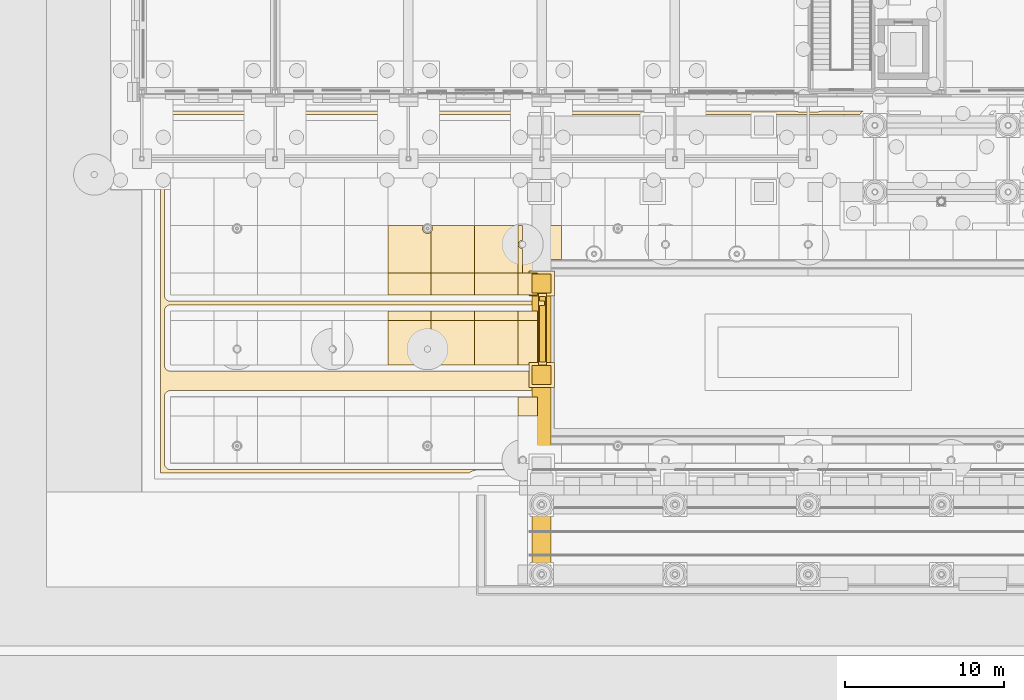
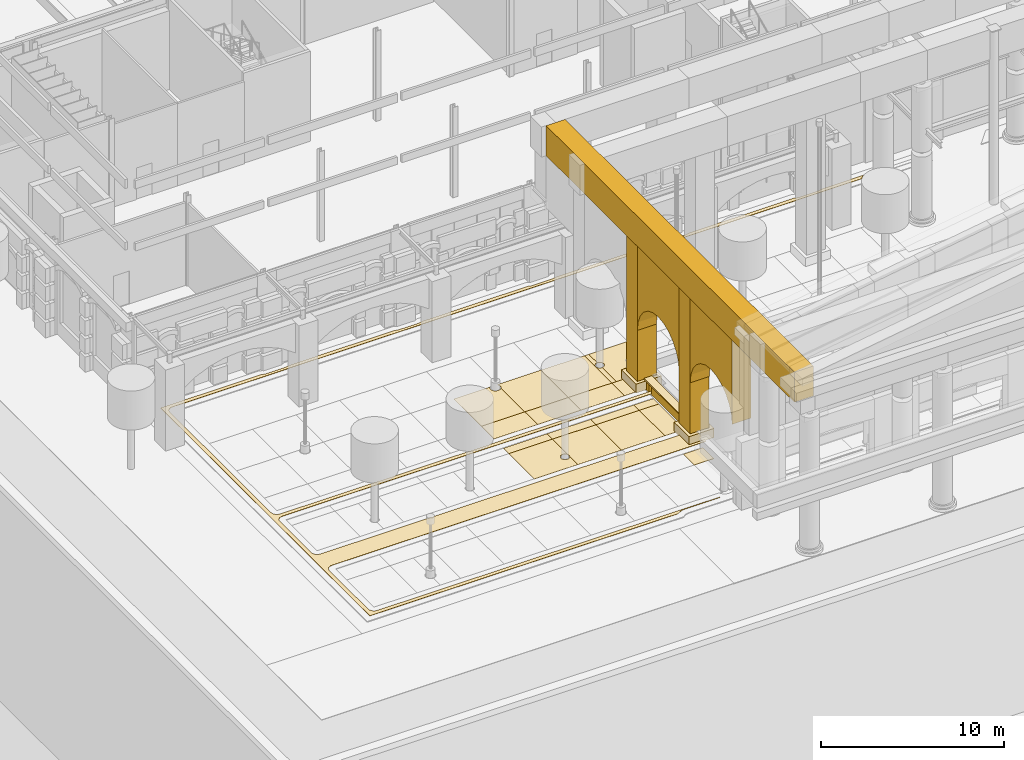
# One storey, part 111 of 222: 28 coverings.
"""IFC4 building model written with IfcOpenShell, lengths in metres."""

import ifcopenshell
import ifcopenshell.guid

model = None  # the IFC model being written
_history = None  # IfcOwnerHistory: only IFC2X3 demands one
_inside = {}  # id of a spatial element -> (the spatial element, [elements in it])
_under = {}  # id of a project, library or spatial element -> (it, [spatial elements below it])
_declared = {}  # id of a project -> (the project, [libraries it declares])
_typed = {}  # id of a type object -> (the type object, [elements of that type])
_made_of = {}  # id of a material, layer set ... -> (it, [elements and type objects made of it])


def new_model(schema):
    """Start an empty IFC model of exactly this schema.

    Asked for "IFC4X3", IfcOpenShell would pick the latest addendum, in which some entities
    have other attributes; the version numbers below select the first issue.
    IFC2X3 requires an IfcOwnerHistory on every rooted entity: one is made here for all.
    """
    global model, _history
    if schema == "IFC4X3":
        model = ifcopenshell.file(schema_version=(4, 3, 0, 0))
    else:
        model = ifcopenshell.file(schema=schema)
    _inside.clear()
    _under.clear()
    _declared.clear()
    _typed.clear()
    _made_of.clear()
    _history = None
    if model.schema == "IFC2X3":
        org = make("IfcOrganization", Name="unknown")
        user = make(
            "IfcPersonAndOrganization",
            ThePerson=make("IfcPerson", FamilyName="unknown"),
            TheOrganization=org,
        )
        app = make(
            "IfcApplication",
            ApplicationDeveloper=org,
            Version="unknown",
            ApplicationFullName="unknown",
            ApplicationIdentifier="unknown",
        )
        _history = make(
            "IfcOwnerHistory",
            OwningUser=user,
            OwningApplication=app,
            ChangeAction="ADDED",
            CreationDate=0,
        )
    return model


def make(cls, **values):
    """One entity of the class cls with the attributes given. An attribute that is None is left unset."""
    return model.create_entity(
        cls, **{name: value for name, value in values.items() if value is not None}
    )


def rooted(cls, **values):
    """An entity with a GlobalId (a new one), such as an element, a storey or a relation."""
    return make(cls, GlobalId=ifcopenshell.guid.new(), OwnerHistory=_history, **values)


def si_unit(unit_type, name, prefix=None):
    """IfcSIUnit, for example si_unit("LENGTHUNIT", "METRE", prefix="MILLI")."""
    return make("IfcSIUnit", UnitType=unit_type, Prefix=prefix, Name=name)


def assignment(units):
    """IfcUnitAssignment: the units of a project."""
    return None if units is None else make("IfcUnitAssignment", Units=units)


def point(xyz):
    """IfcCartesianPoint."""
    return None if xyz is None else make("IfcCartesianPoint", Coordinates=xyz)


def direction(xyz):
    """IfcDirection."""
    return None if xyz is None else make("IfcDirection", DirectionRatios=xyz)


def frame(location, z_axis=None, x_axis=None):
    """IfcAxis2Placement3D, a coordinate frame: its origin and axes. An axis left out is left unset."""
    return make(
        "IfcAxis2Placement3D",
        Location=point(location),
        Axis=direction(z_axis),
        RefDirection=direction(x_axis),
    )


def frame_2d(location, x_axis=None):
    """IfcAxis2Placement2D, a coordinate frame in the plane: its origin and x axis."""
    return make(
        "IfcAxis2Placement2D", Location=point(location), RefDirection=direction(x_axis)
    )


def origin():
    """The frame at (0, 0, 0) with its axes left unset."""
    return frame((0.0, 0.0, 0.0))


def origin_2d():
    """The frame at (0, 0) in the plane with its x axis left unset."""
    return frame_2d((0.0, 0.0))


def place(relative_to, where):
    """IfcLocalPlacement: puts the frame where relative to a parent placement (None: the world)."""
    return make(
        "IfcLocalPlacement", PlacementRelTo=relative_to, RelativePlacement=where
    )


def context(
    kind, dimensions, precision=None, world=None, true_north=None, identifier=None
):
    """IfcGeometricRepresentationContext, for example the 3D "Model" context."""
    return make(
        "IfcGeometricRepresentationContext",
        ContextIdentifier=identifier,
        ContextType=kind,
        CoordinateSpaceDimension=dimensions,
        Precision=precision,
        WorldCoordinateSystem=world,
        TrueNorth=true_north,
    )


def subcontext(parent, identifier, kind, view, scale=None):
    """IfcGeometricRepresentationSubContext, for example "Body" below "Model"."""
    return make(
        "IfcGeometricRepresentationSubContext",
        ContextIdentifier=identifier,
        ContextType=kind,
        ParentContext=parent,
        TargetScale=scale,
        TargetView=view,
    )


def project(units=None, contexts=None):
    """IfcProject with its units and contexts."""
    return rooted(
        "IfcProject",
        Name="project",
        RepresentationContexts=contexts,
        UnitsInContext=assignment(units),
    )


def spatial(cls, under=None, at=None, **own):
    """A site, building, storey or space (cls), placed at a placement, below another one or the project."""
    s = rooted(cls, ObjectPlacement=at, **own)
    if under is not None:
        _under.setdefault(under.id(), (under, []))[1].append(s)
    return s


def polyline(points):
    """IfcPolyline through the points."""
    return make("IfcPolyline", Points=[point(p) for p in points])


def profile(cls, at=None, kind="AREA", **sizes):
    """A parametric profile (cls). Its sizes go by their IFC names, for example OverallWidth=200.0."""
    return make(cls, ProfileType=kind, Position=at, **sizes)


def rectangle(**sizes):
    """IfcRectangleProfileDef."""
    return profile("IfcRectangleProfileDef", **sizes)


def outline(outer, holes=None, kind="AREA"):
    """IfcArbitraryClosedProfileDef: a profile drawn as a closed curve; with holes, ...WithVoids."""
    if holes is None:
        return make("IfcArbitraryClosedProfileDef", ProfileType=kind, OuterCurve=outer)
    return make(
        "IfcArbitraryProfileDefWithVoids",
        ProfileType=kind,
        OuterCurve=outer,
        InnerCurves=holes,
    )


def extrude(swept, where, along, depth):
    """IfcExtrudedAreaSolid: the profile swept, set in the frame where, extruded along a direction by depth."""
    return make(
        "IfcExtrudedAreaSolid",
        SweptArea=swept,
        Position=where,
        ExtrudedDirection=direction(along),
        Depth=depth,
    )


def shape(context_of_items, identifier, shape_type, items):
    """IfcShapeRepresentation: the items that make up one representation, for example the "Body"."""
    return make(
        "IfcShapeRepresentation",
        ContextOfItems=context_of_items,
        RepresentationIdentifier=identifier,
        RepresentationType=shape_type,
        Items=items,
    )


def material(Name=None, Category=None):
    """IfcMaterial."""
    return make("IfcMaterial", Name=Name, Category=Category)


def layer(
    of_material, thickness, ventilated=None, Name=None, Category=None, Priority=None
):
    """IfcMaterialLayer: one layer of a wall or slab, of a material (None: an air gap)."""
    return make(
        "IfcMaterialLayer",
        Material=of_material,
        LayerThickness=thickness,
        IsVentilated=ventilated,
        Name=Name,
        Category=Category,
        Priority=Priority,
    )


def layer_set(layers, Name=None):
    """IfcMaterialLayerSet."""
    return make("IfcMaterialLayerSet", MaterialLayers=layers, LayerSetName=Name)


def made_of(thing, what):
    """Note that an element or type object is made of a material, layer set ...; save() writes the relation."""
    if what is not None:
        _made_of.setdefault(what.id(), (what, []))[1].append(thing)
    return thing


def type_object(cls, material=None, **own):
    """A type object (cls), such as IfcWallType, which elements share."""
    return made_of(rooted(cls, **own), material)


def element(
    cls,
    number,
    at=None,
    inside=None,
    cuts=None,
    type_object=None,
    material=None,
    context=None,
    identifier="Body",
    shape_type=None,
    held_by="IfcProductDefinitionShape",
    body=None,
    shapes=None,
    **own,
):
    """One element of the class cls, such as IfcWall. Its Tag is "e" and its number.

    at: its placement. inside: the storey or other place that contains it. cuts: it is an
    opening in that element (IfcRelVoidsElement). A single representation is given by context,
    identifier, shape_type and body (its items); several are given by shapes. held_by: the class
    of the entity that holds the representations. save() writes the other relations.
    """
    e = rooted(cls, Tag="e%d" % number, ObjectPlacement=at, **own)
    if body is not None:
        shapes = [shape(context, identifier, shape_type, body)]
    if shapes is not None:
        e.Representation = make(held_by, Representations=shapes)
    if inside is not None:
        _inside.setdefault(inside.id(), (inside, []))[1].append(e)
    if cuts is not None:
        rooted(
            "IfcRelVoidsElement", RelatingBuildingElement=cuts, RelatedOpeningElement=e
        )
    if type_object is not None:
        _typed.setdefault(type_object.id(), (type_object, []))[1].append(e)
    return made_of(e, material)


def aggregate(whole, parts):
    """IfcRelAggregates: a whole, such as a stair, and the parts it consists of."""
    return rooted("IfcRelAggregates", RelatingObject=whole, RelatedObjects=parts)


def save(model, path):
    """Write the relations noted so far, then the file.

    IfcRelAggregates (storeys below a building ...), IfcRelContainedInSpatialStructure (elements
    in a storey), IfcRelDefinesByType, IfcRelAssociatesMaterial and IfcRelDeclares: one each for
    every whole, place, type object, material and project.
    """
    for whole, parts in _under.values():
        aggregate(whole, parts)
    for where, things in _inside.values():
        rooted(
            "IfcRelContainedInSpatialStructure",
            RelatedElements=things,
            RelatingStructure=where,
        )
    for kind, things in _typed.values():
        rooted("IfcRelDefinesByType", RelatedObjects=things, RelatingType=kind)
    for what, things in _made_of.values():
        rooted("IfcRelAssociatesMaterial", RelatedObjects=things, RelatingMaterial=what)
    for by, libraries in _declared.values():
        rooted("IfcRelDeclares", RelatingContext=by, RelatedDefinitions=libraries)
    model.write(path)


model = new_model("IFC4")

# Units and contexts
model_context = context("Model", 3, precision=1e-05, world=origin(), true_north=direction((0.0, 1.0)))
body_context = subcontext(model_context, "Body", "Model", "MODEL_VIEW")
ifc_project = project(units=[si_unit("LENGTHUNIT", "METRE"), si_unit("AREAUNIT", "SQUARE_METRE"), si_unit("VOLUMEUNIT", "CUBIC_METRE"), si_unit("PLANEANGLEUNIT", "RADIAN"), si_unit("MASSUNIT", "GRAM", prefix="KILO")], contexts=[model_context])

# Site, building, storey
site_placement = place(None, origin())
site = spatial("IfcSite", under=ifc_project, at=site_placement, CompositionType="ELEMENT")
building_placement = place(site_placement, origin())
building = spatial("IfcBuilding", under=site, at=building_placement, Name="Sava Quay Ferry Terminal", CompositionType="ELEMENT")
storey_placement = place(building_placement, origin())
storey = spatial("IfcBuildingStorey", under=building, at=storey_placement, Name="L00", CompositionType="ELEMENT", Elevation=0.0)

# Coverings
ifc_material_1 = material(Name="Basalt setts", Category="masonry")
ifc_layer_1 = layer(ifc_material_1, 0.02001953125)
ifc_layer_set_1 = layer_set([ifc_layer_1], Name="Basalt setts")
covering_type_1 = type_object("IfcCoveringType", Name="Basalt inlay line 20", PredefinedType="FLOORING", material=ifc_layer_set_1)
covering_1_placement = place(storey_placement, frame((0.0, 0.0, 0.050048828125)))
element("IfcCovering", 1, at=covering_1_placement, inside=storey, type_object=covering_type_1, Name="Basalt inlay line", PredefinedType="FLOORING", context=body_context, shape_type="SweptSolid", body=[
    extrude(outline(polyline([(7.72802734375, 23.964111328125), (7.64892578125, 23.97900390625), (7.60205078125, 23.991943359375), (7.552001953125, 24.010986328125), (7.532958984375, 24.02001953125), (1.179931640625, 24.02001953125), (1.179931640625, 1.179931640625), (20.60693359375, 1.179931640625), (20.6708984375, 1.22509765625), (20.720947265625, 1.2548828125), (20.7548828125, 1.27294921875), (20.80810546875, 1.298095703125), (20.842041015625, 1.31201171875), (20.89794921875, 1.33203125), (20.93505859375, 1.343017578125), (20.991943359375, 1.35693359375), (21.0830078125, 1.373046875), (21.1220703125, 1.376953125), (21.199951171875, 1.3798828125), (23.3759765625, 1.3798828125), (23.340087890625, 1.419921875), (1.800048828125, 1.419921875), (1.762939453125, 1.422119140625), (1.72607421875, 1.427001953125), (1.68994140625, 1.43603515625), (1.655029296875, 1.448974609375), (1.62109375, 1.465087890625), (1.589111328125, 1.48388671875), (1.55908203125, 1.506103515625), (1.531005859375, 1.531005859375), (1.506103515625, 1.55908203125), (1.48388671875, 1.589111328125), (1.465087890625, 1.62109375), (1.448974609375, 1.655029296875), (1.43603515625, 1.68994140625), (1.427001953125, 1.72607421875), (1.422119140625, 1.762939453125), (1.419921875, 1.800048828125), (1.419921875, 6.0), (1.422119140625, 6.037109375), (1.427001953125, 6.073974609375), (1.43603515625, 6.110107421875), (1.448974609375, 6.14501953125), (1.465087890625, 6.178955078125), (1.48388671875, 6.2109375), (1.506103515625, 6.240966796875), (1.531005859375, 6.26904296875), (1.55908203125, 6.2939453125), (1.589111328125, 6.31591796875), (1.62109375, 6.3349609375), (1.655029296875, 6.35107421875), (1.68994140625, 6.364013671875), (1.72607421875, 6.373046875), (1.762939453125, 6.3779296875), (1.800048828125, 6.3798828125), (25.3701171875, 6.3798828125), (25.3701171875, 7.6201171875), (1.800048828125, 7.6201171875), (1.762939453125, 7.6220703125), (1.72607421875, 7.626953125), (1.68994140625, 7.635986328125), (1.655029296875, 7.64892578125), (1.62109375, 7.6650390625), (1.589111328125, 7.68408203125), (1.55908203125, 7.7060546875), (1.531005859375, 7.73095703125), (1.506103515625, 7.759033203125), (1.48388671875, 7.7890625), (1.465087890625, 7.821044921875), (1.448974609375, 7.85498046875), (1.43603515625, 7.889892578125), (1.427001953125, 7.926025390625), (1.422119140625, 7.962890625), (1.419921875, 8.0), (1.419921875, 11.39990234375), (1.422119140625, 11.43701171875), (1.427001953125, 11.47412109375), (1.43603515625, 11.510009765625), (1.448974609375, 11.544921875), (1.465087890625, 11.5791015625), (1.48388671875, 11.611083984375), (1.506103515625, 11.64111328125), (1.531005859375, 11.6689453125), (1.55908203125, 11.694091796875), (1.589111328125, 11.716064453125), (1.62109375, 11.735107421875), (1.655029296875, 11.7509765625), (1.68994140625, 11.763916015625), (1.72607421875, 11.77294921875), (1.762939453125, 11.778076171875), (1.800048828125, 11.780029296875), (25.3701171875, 11.780029296875), (25.3701171875, 12.02001953125), (1.800048828125, 12.02001953125), (1.762939453125, 12.02197265625), (1.72607421875, 12.027099609375), (1.68994140625, 12.035888671875), (1.655029296875, 12.049072265625), (1.62109375, 12.06494140625), (1.589111328125, 12.083984375), (1.55908203125, 12.10595703125), (1.531005859375, 12.131103515625), (1.506103515625, 12.158935546875), (1.48388671875, 12.18896484375), (1.465087890625, 12.220947265625), (1.448974609375, 12.2548828125), (1.43603515625, 12.2900390625), (1.427001953125, 12.325927734375), (1.422119140625, 12.363037109375), (1.419921875, 12.39990234375), (1.419921875, 23.39990234375), (1.422119140625, 23.43701171875), (1.427001953125, 23.47412109375), (1.43603515625, 23.510009765625), (1.448974609375, 23.544921875), (1.465087890625, 23.5791015625), (1.48388671875, 23.611083984375), (1.506103515625, 23.64111328125), (1.531005859375, 23.6689453125), (1.55908203125, 23.694091796875), (1.589111328125, 23.716064453125), (1.62109375, 23.735107421875), (1.655029296875, 23.7509765625), (1.68994140625, 23.763916015625), (1.72607421875, 23.77294921875), (1.762939453125, 23.778076171875), (1.800048828125, 23.780029296875), (45.256103515625, 23.780029296875), (45.277099609375, 23.81591796875), (45.294921875, 23.843017578125), (45.3369140625, 23.89599609375), (45.35693359375, 23.91796875), (45.404052734375, 23.962890625), (45.43408203125, 23.988037109375), (45.47998046875, 24.02001953125), (42.866943359375, 24.02001953125), (42.847900390625, 24.010986328125), (42.798095703125, 23.991943359375), (42.740966796875, 23.97607421875), (42.68701171875, 23.966064453125), (42.639892578125, 23.9609375), (42.60009765625, 23.9599609375), (41.375, 23.9609375), (41.3359375, 23.962890625), (41.297119140625, 23.968994140625), (41.2490234375, 23.97900390625), (41.201904296875, 23.991943359375), (41.178955078125, 24.0), (41.133056640625, 24.02001953125), (34.467041015625, 24.02001953125), (34.447998046875, 24.010986328125), (34.39794921875, 23.991943359375), (34.341064453125, 23.97607421875), (34.287109375, 23.966064453125), (34.239990234375, 23.9609375), (34.199951171875, 23.9599609375), (32.97509765625, 23.9609375), (32.93603515625, 23.962890625), (32.89697265625, 23.968994140625), (32.84912109375, 23.97900390625), (32.802001953125, 23.991943359375), (32.779052734375, 24.0), (32.73291015625, 24.02001953125), (26.06689453125, 24.02001953125), (26.048095703125, 24.010986328125), (25.998046875, 23.991943359375), (25.94091796875, 23.97607421875), (25.886962890625, 23.966064453125), (25.840087890625, 23.9609375), (25.800048828125, 23.9599609375), (24.574951171875, 23.9609375), (24.535888671875, 23.962890625), (24.4970703125, 23.968994140625), (24.448974609375, 23.97900390625), (24.402099609375, 23.991943359375), (24.37890625, 24.0), (24.3330078125, 24.02001953125), (17.6669921875, 24.02001953125), (17.64794921875, 24.010986328125), (17.597900390625, 23.991943359375), (17.541015625, 23.97607421875), (17.487060546875, 23.966064453125), (17.43994140625, 23.9609375), (17.39990234375, 23.9599609375), (16.175048828125, 23.9609375), (16.135986328125, 23.962890625), (16.096923828125, 23.968994140625), (16.049072265625, 23.97900390625), (16.001953125, 23.991943359375), (15.97900390625, 24.0), (15.93310546875, 24.02001953125), (9.26708984375, 24.02001953125), (9.220947265625, 24.0), (9.197998046875, 23.991943359375), (9.15087890625, 23.97900390625), (9.10302734375, 23.968994140625), (9.06396484375, 23.962890625), (9.02490234375, 23.9609375), (7.800048828125, 23.9599609375), (7.72802734375, 23.964111328125)])), origin(), (0.0, 0.0, 1.0), 0.02001953125),
])
ifc_material_2 = material(Name="Limestone Mutalj", Category="masonry")
ifc_layer_2 = layer(ifc_material_2, 0.030029296875)
ifc_layer_set_2 = layer_set([ifc_layer_2], Name="Limestone Mutalj")
covering_type_2 = type_object("IfcCoveringType", Name="Court paving tile 30", PredefinedType="FLOORING", material=ifc_layer_set_2)
covering_2_placement = place(storey_placement, origin())
element("IfcCovering", 2, at=covering_2_placement, inside=storey, type_object=covering_type_2, Name="Limestone paving tile", PredefinedType="FLOORING", context=body_context, shape_type="SweptSolid", body=[
    extrude(outline(polyline([(18.239990234375, 10.800048828125), (18.239990234375, 11.389892578125), (15.5, 11.389892578125), (15.5, 10.800048828125), (18.239990234375, 10.800048828125)])), origin(), (0.0, 0.0, 1.0), 0.030029296875),
])
covering_3_placement = place(storey_placement, origin())
element("IfcCovering", 3, at=covering_3_placement, inside=storey, type_object=covering_type_2, Name="Limestone paving tile", PredefinedType="FLOORING", context=body_context, shape_type="SweptSolid", body=[
    extrude(outline(polyline([(15.5, 13.800048828125), (15.5, 12.409912109375), (18.239990234375, 12.409912109375), (18.239990234375, 13.800048828125), (15.5, 13.800048828125)])), origin(), (0.0, 0.0, 1.0), 0.030029296875),
])
covering_4_placement = place(storey_placement, origin())
element("IfcCovering", 4, at=covering_4_placement, inside=storey, type_object=covering_type_2, Name="Limestone paving tile", PredefinedType="FLOORING", context=body_context, shape_type="SweptSolid", body=[
    extrude(outline(polyline([(18.239990234375, 10.800048828125), (18.239990234375, 9.10009765625), (18.2490234375, 9.075927734375), (18.2548828125, 9.051025390625), (18.259033203125, 9.02490234375), (18.260009765625, 9.0), (18.259033203125, 8.97412109375), (18.2548828125, 8.948974609375), (18.2490234375, 8.924072265625), (18.239990234375, 8.89990234375), (18.239990234375, 8.010009765625), (20.97998046875, 8.010009765625), (20.97998046875, 10.800048828125), (18.239990234375, 10.800048828125)])), origin(), (0.0, 0.0, 1.0), 0.030029296875),
])
covering_5_placement = place(storey_placement, origin())
element("IfcCovering", 5, at=covering_5_placement, inside=storey, type_object=covering_type_2, Name="Limestone paving tile", PredefinedType="FLOORING", context=body_context, shape_type="SweptSolid", body=[
    extrude(outline(polyline([(18.239990234375, 16.800048828125), (18.239990234375, 16.7958984375), (18.258056640625, 16.77197265625), (18.27392578125, 16.74609375), (18.287109375, 16.718017578125), (18.2958984375, 16.68994140625), (18.303955078125, 16.659912109375), (18.30908203125, 16.6298828125), (18.31005859375, 16.60009765625), (18.30908203125, 16.570068359375), (18.303955078125, 16.5400390625), (18.2958984375, 16.510009765625), (18.287109375, 16.48193359375), (18.27392578125, 16.4541015625), (18.258056640625, 16.427978515625), (18.239990234375, 16.404052734375), (18.239990234375, 13.800048828125), (20.97998046875, 13.800048828125), (20.97998046875, 16.800048828125), (18.239990234375, 16.800048828125)])), origin(), (0.0, 0.0, 1.0), 0.030029296875),
])
covering_6_placement = place(storey_placement, origin())
element("IfcCovering", 6, at=covering_6_placement, inside=storey, type_object=covering_type_2, Name="Limestone paving tile", PredefinedType="FLOORING", context=body_context, shape_type="SweptSolid", body=[
    extrude(outline(polyline([(23.719970703125, 10.800048828125), (23.719970703125, 11.389892578125), (20.97998046875, 11.389892578125), (20.97998046875, 10.800048828125), (23.719970703125, 10.800048828125)])), origin(), (0.0, 0.0, 1.0), 0.030029296875),
])
covering_7_placement = place(storey_placement, origin())
element("IfcCovering", 7, at=covering_7_placement, inside=storey, type_object=covering_type_2, Name="Limestone paving tile", PredefinedType="FLOORING", context=body_context, shape_type="SweptSolid", body=[
    extrude(outline(polyline([(20.97998046875, 13.800048828125), (20.97998046875, 12.409912109375), (23.719970703125, 12.409912109375), (23.719970703125, 13.800048828125), (20.97998046875, 13.800048828125)])), origin(), (0.0, 0.0, 1.0), 0.030029296875),
])
covering_8_placement = place(storey_placement, origin())
element("IfcCovering", 8, at=covering_8_placement, inside=storey, type_object=covering_type_2, Name="Limestone paving tile", PredefinedType="FLOORING", context=body_context, shape_type="SweptSolid", body=[
    extrude(outline(polyline([(23.719970703125, 16.800048828125), (23.719970703125, 13.800048828125), (24.0, 13.800048828125), (24.0, 15.340087890625), (23.97412109375, 15.341064453125), (23.948974609375, 15.344970703125), (23.924072265625, 15.35107421875), (23.89990234375, 15.360107421875), (23.876953125, 15.37109375), (23.85498046875, 15.384033203125), (23.8349609375, 15.39892578125), (23.81591796875, 15.4169921875), (23.799072265625, 15.43505859375), (23.783935546875, 15.4560546875), (23.77001953125, 15.47802734375), (23.760009765625, 15.5009765625), (23.7509765625, 15.52490234375), (23.7451171875, 15.550048828125), (23.740966796875, 15.574951171875), (23.739990234375, 15.60009765625), (23.740966796875, 15.6259765625), (23.7451171875, 15.65087890625), (23.7509765625, 15.676025390625), (23.760009765625, 15.699951171875), (23.77099609375, 15.722900390625), (23.783935546875, 15.7451171875), (23.799072265625, 15.764892578125), (23.81689453125, 15.783935546875), (23.8349609375, 15.801025390625), (23.85595703125, 15.81591796875), (23.8779296875, 15.830078125), (23.90087890625, 15.840087890625), (23.925048828125, 15.84912109375), (23.949951171875, 15.85498046875), (23.97509765625, 15.85888671875), (24.0, 15.860107421875), (24.0, 16.800048828125), (23.719970703125, 16.800048828125)])), origin(), (0.0, 0.0, 1.0), 0.030029296875),
])
covering_9_placement = place(storey_placement, origin())
element("IfcCovering", 9, at=covering_9_placement, inside=storey, type_object=covering_type_2, Name="Limestone paving tile", PredefinedType="FLOORING", context=body_context, shape_type="SweptSolid", body=[
    extrude(outline(polyline([(24.949951171875, 10.800048828125), (23.719970703125, 10.800048828125), (23.719970703125, 8.010009765625), (24.949951171875, 8.010009765625), (24.949951171875, 10.800048828125)])), origin(), (0.0, 0.0, 1.0), 0.030029296875),
])
covering_10_placement = place(storey_placement, origin())
element("IfcCovering", 10, at=covering_10_placement, inside=storey, type_object=covering_type_2, Name="Limestone paving tile", PredefinedType="FLOORING", context=body_context, shape_type="SweptSolid", body=[
    extrude(outline(polyline([(26.4599609375, 14.64990234375), (26.4599609375, 16.800048828125), (24.0, 16.800048828125), (24.0, 15.860107421875), (24.02587890625, 15.85888671875), (24.051025390625, 15.85498046875), (24.075927734375, 15.84912109375), (24.10009765625, 15.840087890625), (24.123046875, 15.8291015625), (24.14501953125, 15.81591796875), (24.1650390625, 15.801025390625), (24.18408203125, 15.782958984375), (24.200927734375, 15.764892578125), (24.216064453125, 15.743896484375), (24.22998046875, 15.721923828125), (24.239990234375, 15.698974609375), (24.2490234375, 15.675048828125), (24.2548828125, 15.64990234375), (24.259033203125, 15.625), (24.260009765625, 15.60009765625), (24.259033203125, 15.573974609375), (24.2548828125, 15.549072265625), (24.2490234375, 15.52392578125), (24.239990234375, 15.5), (24.22900390625, 15.47705078125), (24.216064453125, 15.455078125), (24.200927734375, 15.43505859375), (24.18310546875, 15.416015625), (24.1650390625, 15.39892578125), (24.14404296875, 15.384033203125), (24.1220703125, 15.3701171875), (24.09912109375, 15.360107421875), (24.074951171875, 15.35107421875), (24.050048828125, 15.344970703125), (24.02490234375, 15.341064453125), (24.0, 15.340087890625), (24.0, 13.800048828125), (24.949951171875, 13.800048828125), (24.949951171875, 14.64990234375), (26.4599609375, 14.64990234375)])), origin(), (0.0, 0.0, 1.0), 0.030029296875),
])
ifc_material_3 = material(Name="Red sandstone Vrsac", Category="masonry")
ifc_layer_3 = layer(ifc_material_3, 0.030029296875)
ifc_layer_set_3 = layer_set([ifc_layer_3], Name="Red sandstone Vrsac")
covering_type_3 = type_object("IfcCoveringType", Name="Court paving tile sandstone 30", PredefinedType="FLOORING", material=ifc_layer_set_3)
covering_11_placement = place(storey_placement, origin())
element("IfcCovering", 11, at=covering_11_placement, inside=storey, type_object=covering_type_3, Name="Sandstone paving tile", PredefinedType="FLOORING", context=body_context, shape_type="SweptSolid", body=[
    extrude(outline(polyline([(18.239990234375, 8.010009765625), (18.239990234375, 8.89990234375), (18.22900390625, 8.876953125), (18.216064453125, 8.85498046875), (18.200927734375, 8.8349609375), (18.18408203125, 8.81689453125), (18.1650390625, 8.799072265625), (18.14501953125, 8.783935546875), (18.1220703125, 8.77001953125), (18.09912109375, 8.760009765625), (18.074951171875, 8.7509765625), (18.051025390625, 8.7451171875), (18.02587890625, 8.740966796875), (18.0, 8.739990234375), (17.97509765625, 8.740966796875), (17.948974609375, 8.7451171875), (17.924072265625, 8.7509765625), (17.89990234375, 8.760009765625), (17.876953125, 8.77099609375), (17.85595703125, 8.783935546875), (17.8349609375, 8.799072265625), (17.81689453125, 8.81591796875), (17.799072265625, 8.8349609375), (17.783935546875, 8.85595703125), (17.77001953125, 8.8779296875), (17.760009765625, 8.89990234375), (17.7509765625, 8.924072265625), (17.7451171875, 8.949951171875), (17.740966796875, 8.97509765625), (17.739990234375, 9.0), (17.740966796875, 9.02490234375), (17.7451171875, 9.050048828125), (17.7509765625, 9.074951171875), (17.760009765625, 9.09912109375), (17.77099609375, 9.123046875), (17.783935546875, 9.14501953125), (17.799072265625, 9.1650390625), (17.81689453125, 9.18408203125), (17.8349609375, 9.200927734375), (17.85595703125, 9.216064453125), (17.876953125, 9.22900390625), (17.89990234375, 9.239990234375), (17.924072265625, 9.2490234375), (17.948974609375, 9.2548828125), (17.97509765625, 9.259033203125), (18.0, 9.260009765625), (18.02587890625, 9.259033203125), (18.051025390625, 9.2548828125), (18.074951171875, 9.2490234375), (18.09912109375, 9.239990234375), (18.1220703125, 9.22998046875), (18.14501953125, 9.216064453125), (18.1650390625, 9.200927734375), (18.18408203125, 9.18310546875), (18.200927734375, 9.1650390625), (18.216064453125, 9.14501953125), (18.22900390625, 9.123046875), (18.239990234375, 9.10009765625), (18.239990234375, 10.800048828125), (15.5, 10.800048828125), (15.5, 8.010009765625), (18.239990234375, 8.010009765625)])), origin(), (0.0, 0.0, 1.0), 0.030029296875),
])
covering_12_placement = place(storey_placement, origin())
element("IfcCovering", 12, at=covering_12_placement, inside=storey, type_object=covering_type_3, Name="Sandstone paving tile", PredefinedType="FLOORING", context=body_context, shape_type="SweptSolid", body=[
    extrude(outline(polyline([(18.239990234375, 13.800048828125), (18.239990234375, 16.404052734375), (18.219970703125, 16.381103515625), (18.197021484375, 16.361083984375), (18.173095703125, 16.343017578125), (18.14697265625, 16.326904296875), (18.118896484375, 16.31396484375), (18.090087890625, 16.303955078125), (18.06103515625, 16.2958984375), (18.031005859375, 16.2919921875), (18.0, 16.2900390625), (17.969970703125, 16.291015625), (17.93994140625, 16.2958984375), (17.909912109375, 16.303955078125), (17.881103515625, 16.31396484375), (17.85302734375, 16.326904296875), (17.826904296875, 16.343017578125), (17.802978515625, 16.361083984375), (17.780029296875, 16.381103515625), (17.760009765625, 16.404052734375), (17.741943359375, 16.427978515625), (17.72607421875, 16.4541015625), (17.712890625, 16.48193359375), (17.702880859375, 16.510009765625), (17.696044921875, 16.5400390625), (17.69091796875, 16.570068359375), (17.68994140625, 16.60009765625), (17.69189453125, 16.631103515625), (17.696044921875, 16.660888671875), (17.7041015625, 16.68994140625), (17.714111328125, 16.718994140625), (17.72705078125, 16.7470703125), (17.742919921875, 16.77294921875), (17.762939453125, 16.800048828125), (15.5, 16.800048828125), (15.5, 13.800048828125), (18.239990234375, 13.800048828125)])), origin(), (0.0, 0.0, 1.0), 0.030029296875),
])
covering_13_placement = place(storey_placement, origin())
element("IfcCovering", 13, at=covering_13_placement, inside=storey, type_object=covering_type_3, Name="Sandstone paving tile", PredefinedType="FLOORING", context=body_context, shape_type="SweptSolid", body=[
    extrude(outline(polyline([(20.97998046875, 10.800048828125), (20.97998046875, 11.389892578125), (18.239990234375, 11.389892578125), (18.239990234375, 10.800048828125), (20.97998046875, 10.800048828125)])), origin(), (0.0, 0.0, 1.0), 0.030029296875),
])
covering_14_placement = place(storey_placement, origin())
element("IfcCovering", 14, at=covering_14_placement, inside=storey, type_object=covering_type_3, Name="Sandstone paving tile", PredefinedType="FLOORING", context=body_context, shape_type="SweptSolid", body=[
    extrude(outline(polyline([(18.239990234375, 13.800048828125), (18.239990234375, 12.409912109375), (20.97998046875, 12.409912109375), (20.97998046875, 13.800048828125), (18.239990234375, 13.800048828125)])), origin(), (0.0, 0.0, 1.0), 0.030029296875),
])
covering_15_placement = place(storey_placement, origin())
element("IfcCovering", 15, at=covering_15_placement, inside=storey, type_object=covering_type_3, Name="Sandstone paving tile", PredefinedType="FLOORING", context=body_context, shape_type="SweptSolid", body=[
    extrude(outline(polyline([(20.97998046875, 10.800048828125), (20.97998046875, 8.010009765625), (23.719970703125, 8.010009765625), (23.719970703125, 10.800048828125), (20.97998046875, 10.800048828125)])), origin(), (0.0, 0.0, 1.0), 0.030029296875),
])
covering_16_placement = place(storey_placement, origin())
element("IfcCovering", 16, at=covering_16_placement, inside=storey, type_object=covering_type_3, Name="Sandstone paving tile", PredefinedType="FLOORING", context=body_context, shape_type="SweptSolid", body=[
    extrude(outline(polyline([(20.97998046875, 13.800048828125), (23.719970703125, 13.800048828125), (23.719970703125, 16.800048828125), (20.97998046875, 16.800048828125), (20.97998046875, 13.800048828125)])), origin(), (0.0, 0.0, 1.0), 0.030029296875),
])
covering_17_placement = place(storey_placement, origin())
element("IfcCovering", 17, at=covering_17_placement, inside=storey, type_object=covering_type_3, Name="Sandstone paving tile", PredefinedType="FLOORING", context=body_context, shape_type="SweptSolid", body=[
    extrude(outline(polyline([(23.719970703125, 5.989990234375), (23.719970703125, 4.800048828125), (24.949951171875, 4.800048828125), (24.949951171875, 5.989990234375), (23.719970703125, 5.989990234375)])), origin(), (0.0, 0.0, 1.0), 0.030029296875),
])
covering_18_placement = place(storey_placement, origin())
element("IfcCovering", 18, at=covering_18_placement, inside=storey, type_object=covering_type_3, Name="Sandstone paving tile", PredefinedType="FLOORING", context=body_context, shape_type="SweptSolid", body=[
    extrude(outline(polyline([(24.949951171875, 13.800048828125), (23.719970703125, 13.800048828125), (23.719970703125, 12.409912109375), (24.949951171875, 12.409912109375), (24.949951171875, 13.800048828125)])), origin(), (0.0, 0.0, 1.0), 0.030029296875),
])
covering_19_placement = place(storey_placement, origin())
element("IfcCovering", 19, at=covering_19_placement, inside=storey, type_object=covering_type_3, Name="Sandstone paving tile", PredefinedType="FLOORING", context=body_context, shape_type="SweptSolid", body=[
    extrude(outline(polyline([(23.719970703125, 11.389892578125), (23.719970703125, 10.800048828125), (24.949951171875, 10.800048828125), (24.949951171875, 11.389892578125), (23.719970703125, 11.389892578125)])), origin(), (0.0, 0.0, 1.0), 0.030029296875),
])
ifc_material_4 = material(Name="Limestone Mutalj", Category="masonry")
ifc_layer_4 = layer(ifc_material_4, 0.080078125)
ifc_layer_set_4 = layer_set([ifc_layer_4], Name="Limestone Mutalj")
covering_type_4 = type_object("IfcCoveringType", Name="Garden bed wall coping 450", PredefinedType="MOLDING", material=ifc_layer_set_4)
covering_20_placement = place(storey_placement, frame((0.0, 0.0, 0.60009765625)))
element("IfcCovering", 20, at=covering_20_placement, inside=storey, type_object=covering_type_4, Name="Garden bed wall coping", PredefinedType="MOLDING", context=body_context, shape_type="SweptSolid", body=[
    extrude(outline(polyline([(25.5, 7.987060546875), (25.5, 12.512939453125), (25.0, 12.512939453125), (25.0, 7.987060546875), (25.5, 7.987060546875)])), origin(), (0.0, 0.0, 1.0), 0.079833984375),
])
ifc_material_5 = material(Name="Limestone Mutalj", Category="masonry")
ifc_layer_5 = layer(ifc_material_5, 2.0)
ifc_layer_set_5 = layer_set([ifc_layer_5], Name="Limestone Mutalj")
covering_type_5 = type_object("IfcCoveringType", Name="Portico entablature 2000", PredefinedType="CLADDING", material=ifc_layer_set_5)
covering_21_placement = place(storey_placement, frame((25.199951171875, 8.949951171875, 9.60009765625), z_axis=(0.0, 0.0, 1.0), x_axis=(1.0, 0.0, 0.0)))
element("IfcCovering", 21, at=covering_21_placement, inside=storey, type_object=covering_type_5, Name="Portico entablature return", PredefinedType="CLADDING", context=body_context, shape_type="SweptSolid", body=[
    extrude(rectangle(XDim=1.199951171875, YDim=27.10009765625, at=origin_2d()), origin(), (0.0, 0.0, 1.0), 2.0),
])
ifc_material_6 = material(Name="Limestone Mutalj", Category="masonry")
ifc_layer_6 = layer(ifc_material_6, 0.39990234375)
ifc_layer_set_6 = layer_set([ifc_layer_6], Name="Limestone Mutalj")
covering_type_6 = type_object("IfcCoveringType", Name="Retaining wall 400", PredefinedType="CLADDING", material=ifc_layer_set_6)
covering_22_placement = place(storey_placement, origin())
element("IfcCovering", 22, at=covering_22_placement, inside=storey, type_object=covering_type_6, Name="Retaining wall", PredefinedType="CLADDING", context=body_context, shape_type="SweptSolid", body=[
    extrude(outline(polyline([(25.449951171875, 8.18701171875), (25.449951171875, 12.31298828125), (25.050048828125, 12.31298828125), (25.050048828125, 12.0400390625), (25.3701171875, 12.0400390625), (25.3779296875, 12.0380859375), (25.383056640625, 12.034912109375), (25.387939453125, 12.029052734375), (25.389892578125, 12.02001953125), (25.389892578125, 11.780029296875), (25.387939453125, 11.77197265625), (25.384033203125, 11.76611328125), (25.3779296875, 11.761962890625), (25.3720703125, 11.760009765625), (25.050048828125, 11.760009765625), (25.050048828125, 8.18701171875), (25.449951171875, 8.18701171875)])), origin(), (0.0, 0.0, 1.0), 0.60009765625),
])
ifc_material_7 = material(Name="Limestone Mutalj", Category="masonry")
ifc_layer_7 = layer(ifc_material_7, 1.199951171875)
ifc_layer_set_7 = layer_set([ifc_layer_7], Name="Limestone Mutalj")
covering_type_7 = type_object("IfcCoveringType", Name="Return arcade spandrel 1200", PredefinedType="CLADDING", material=ifc_layer_set_7)
covering_23_placement = place(storey_placement, frame((24.60009765625, 2.199951171875, 4.0), z_axis=(-1.0, 0.0, 0.0), x_axis=(0.0, 0.0, 1.0)))
element("IfcCovering", 23, at=covering_23_placement, inside=storey, type_object=covering_type_7, Name="Return arcade spandrel", PredefinedType="CLADDING", context=body_context, shape_type="SweptSolid", body=[
    extrude(outline(polyline([(0.0, 0.0), (5.60009765625, 0.0), (5.60009765625, 4.566650390625), (0.0, 4.566650390625), (0.591064453125, 4.489013671875), (1.1416015625, 4.2607421875), (1.614501953125, 3.89794921875), (1.977294921875, 3.425048828125), (2.20556640625, 2.874267578125), (2.283203125, 2.283447265625), (2.20556640625, 1.6923828125), (1.977294921875, 1.141845703125), (1.614501953125, 0.6689453125), (1.1416015625, 0.305908203125), (0.591064453125, 0.077880859375), (0.0, 0.0)])), origin(), (0.0, 0.0, -1.0), 1.199951171875),
])
covering_24_placement = place(storey_placement, frame((24.60009765625, 7.966796875, 4.0), z_axis=(-1.0, 0.0, 0.0), x_axis=(0.0, 0.0, 1.0)))
element("IfcCovering", 24, at=covering_24_placement, inside=storey, type_object=covering_type_7, Name="Return arcade spandrel", PredefinedType="CLADDING", context=body_context, shape_type="SweptSolid", body=[
    extrude(outline(polyline([(0.0, 0.0), (5.60009765625, 0.0), (5.60009765625, 4.56640625), (0.0, 4.56640625), (0.591064453125, 4.48876953125), (1.1416015625, 4.260498046875), (1.614501953125, 3.897705078125), (1.977294921875, 3.4248046875), (2.20556640625, 2.874267578125), (2.283203125, 2.283203125), (2.20556640625, 1.692138671875), (1.977294921875, 1.1416015625), (1.614501953125, 0.668701171875), (1.1416015625, 0.305908203125), (0.591064453125, 0.07763671875), (0.0, 0.0)])), origin(), (0.0, 0.0, -1.0), 1.199951171875),
])
ifc_material_8 = material(Name="Limestone Mutalj", Category="masonry")
ifc_layer_8 = layer(ifc_material_8, 1.199951171875)
ifc_layer_set_8 = layer_set([ifc_layer_8], Name="Limestone Mutalj")
covering_type_8 = type_object("IfcCoveringType", Name="Return pier 1200", PredefinedType="CLADDING", material=ifc_layer_set_8)
for number, where, z_axis, x_axis, name in (
    (25, (25.199951171875, 7.36669921875, 0.60009765625), (0.0, 0.0, 1.0), (1.0, 0.0, 0.0), "Return pier"),
    (26, (25.199951171875, 13.13330078125, 0.60009765625), (0.0, 0.0, 1.0), (1.0, 0.0, 0.0), "Return pier"),
):
    element("IfcCovering", number, at=place(storey_placement, frame(where, z_axis=z_axis, x_axis=x_axis)), inside=storey, type_object=covering_type_8, Name=name, PredefinedType="CLADDING", context=body_context, shape_type="SweptSolid", body=[
        extrude(rectangle(XDim=1.199951171875, YDim=1.199951171875, at=origin_2d()), origin(), (0.0, 0.0, 1.0), 9.0),
    ])
ifc_material_9 = material(Name="Limestone Mutalj", Category="masonry")
ifc_layer_9 = layer(ifc_material_9, 1.60009765625)
ifc_layer_set_9 = layer_set([ifc_layer_9], Name="Limestone Mutalj")
covering_type_9 = type_object("IfcCoveringType", Name="Return pier base 1600", PredefinedType="MOLDING", material=ifc_layer_set_9)
for number, where, z_axis, x_axis, name in (
    (27, (25.199951171875, 7.36669921875, 0.0), (0.0, 0.0, 1.0), (1.0, 0.0, 0.0), "Return pier base"),
    (28, (25.199951171875, 13.13330078125, 0.0), (0.0, 0.0, 1.0), (1.0, 0.0, 0.0), "Return pier base"),
):
    element("IfcCovering", number, at=place(storey_placement, frame(where, z_axis=z_axis, x_axis=x_axis)), inside=storey, type_object=covering_type_9, Name=name, PredefinedType="MOLDING", context=body_context, shape_type="SweptSolid", body=[
        extrude(rectangle(XDim=1.60009765625, YDim=1.60009765625, at=origin_2d()), origin(), (0.0, 0.0, 1.0), 0.60009765625),
    ])

save(model, "model.ifc")
